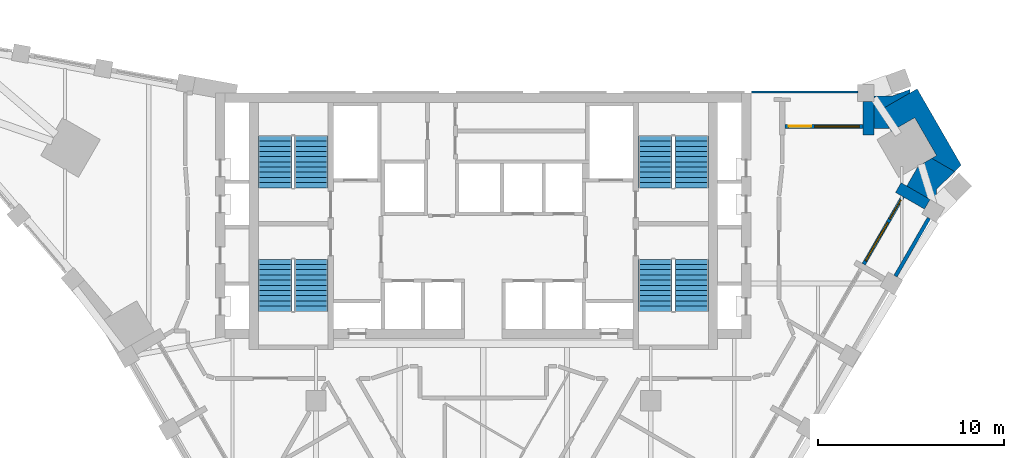
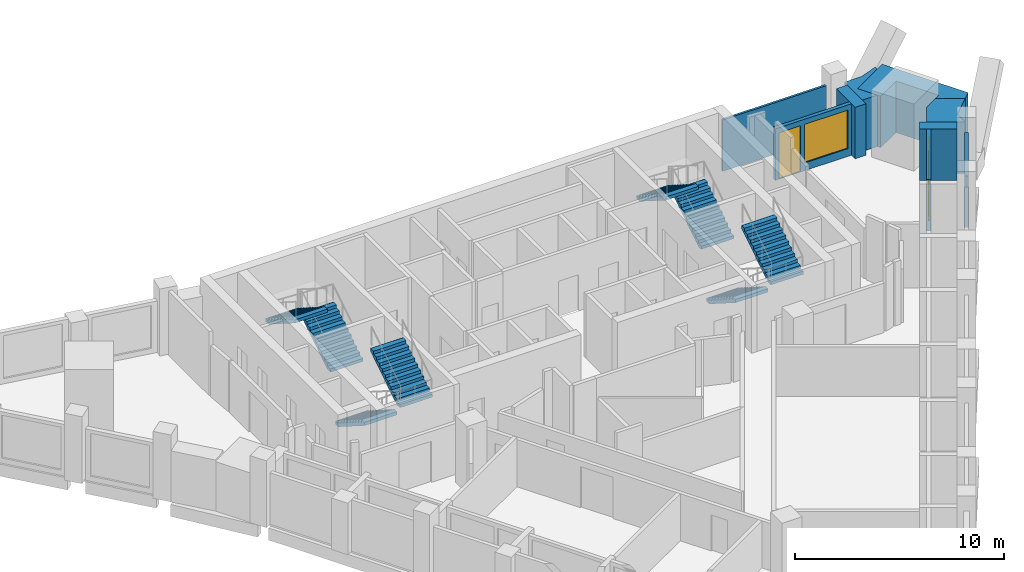
# One storey, part 8 of 9: 9 walls, 8 stair flights, 2 doors, 2 windows, 4 openings, 4 elements without a shape of their own.
"""IFC4 building model written with IfcOpenShell, lengths in metres."""

from ifc_helpers import new_model, si_unit, direction, frame, frame_2d, origin, place, context, subcontext, project, spatial, polyline, rectangle, outline, extrude, faceted_brep, source, transform, mapped, material, layer, layer_set, type_object, element, fill, aggregate, save


model = new_model("IFC4")

# Units and contexts
model_context = context("Model", 3, precision=1e-05, world=origin(), true_north=direction((0.0, 1.0)))
body_context = subcontext(model_context, "Body", "Model", "MODEL_VIEW")
ifc_project = project(units=[si_unit("LENGTHUNIT", "METRE"), si_unit("AREAUNIT", "SQUARE_METRE"), si_unit("VOLUMEUNIT", "CUBIC_METRE"), si_unit("PLANEANGLEUNIT", "RADIAN"), si_unit("MASSUNIT", "GRAM", prefix="KILO")], contexts=[model_context])

# Site, building, storey
site_placement = place(None, origin())
site = spatial("IfcSite", under=ifc_project, at=site_placement, CompositionType="ELEMENT")
building_placement = place(site_placement, origin())
building = spatial("IfcBuilding", under=site, at=building_placement, Name="Calabash Gate Tower", CompositionType="ELEMENT")
storey_placement = place(building_placement, frame((0.0, 0.0, 231.5)))
storey = spatial("IfcBuildingStorey", under=building, at=storey_placement, Name="L55", CompositionType="ELEMENT", Elevation=231.5)

# Walls
ifc_material_1 = material(Name="Terracotta brick masonry, exposed face", Category="masonry")
ifc_layer_1 = layer(ifc_material_1, 2.35009765625)
ifc_layer_set_1 = layer_set([ifc_layer_1], Name="Brick corner mass wall 2350")
wall_type_1 = type_object("IfcWallType", Name="Brick corner mass wall 2350", PredefinedType="SOLIDWALL", material=ifc_layer_set_1)
wall_1_placement = place(storey_placement, origin())
element("IfcWall", 1, at=wall_1_placement, inside=storey, type_object=wall_type_1, Name="Brick corner pier S16 3a", PredefinedType="SOLIDWALL", context=body_context, shape_type="SweptSolid", body=[
    extrude(outline(polyline([(23.392333984375, 15.1171875), (22.775634765625, 14.049072265625), (24.364013671875, 13.1318359375), (24.364013671875, 13.861083984375), (25.353271484375, 14.825439453125), (24.119873046875, 15.537353515625), (23.392333984375, 15.1171875)])), origin(), (0.0, 0.0, 1.0), 3.0),
])
wall_2_placement = place(storey_placement, origin())
element("IfcWall", 2, at=wall_2_placement, inside=storey, type_object=wall_type_1, Name="Brick corner pier S16 3b", PredefinedType="SOLIDWALL", context=body_context, shape_type="SweptSolid", body=[
    extrude(outline(polyline([(23.2041015625, 17.72216796875), (24.379150390625, 15.68701171875), (24.119873046875, 15.537353515625), (25.353271484375, 14.825439453125), (25.706298828125, 15.169677734375), (23.33447265625, 19.277587890625), (21.29931640625, 18.1025390625), (21.9404296875, 16.992431640625), (23.2041015625, 17.72216796875)])), origin(), (0.0, 0.0, 1.0), 3.0),
])
wall_3_placement = place(storey_placement, origin())
element("IfcWall", 3, at=wall_3_placement, inside=storey, type_object=wall_type_1, Name="Brick corner pier S16 3c", PredefinedType="SOLIDWALL", context=body_context, shape_type="SweptSolid", body=[
    extrude(outline(polyline([(21.027099609375, 18.884033203125), (21.02685546875, 17.152587890625), (21.847900390625, 17.152587890625), (21.29931640625, 18.1025390625), (22.94482421875, 19.052490234375), (22.94482421875, 19.239501953125), (21.97802734375, 18.884033203125), (21.027099609375, 18.884033203125)])), origin(), (0.0, 0.0, 1.0), 3.0),
])
ifc_material_2 = material(Name="Terracotta brick masonry, exposed face", Category="masonry")
ifc_layer_2 = layer(ifc_material_2, 0.300048828125)
ifc_layer_set_2 = layer_set([ifc_layer_2], Name="Brick loggia cheek wall 300")
wall_type_2 = type_object("IfcWallType", Name="Brick loggia cheek wall 300", PredefinedType="SOLIDWALL", material=ifc_layer_set_2)
wall_4_placement = place(storey_placement, frame((23.88134765625, 13.064208984375, 0.0), z_axis=(0.0, 0.0, 1.0), x_axis=(-0.866047807691, 0.499961193289, 0.0)))
element("IfcWall", 4, at=wall_4_placement, inside=storey, type_object=wall_type_2, Name="Loggia cheek S16 SE2.9", PredefinedType="SOLIDWALL", context=body_context, shape_type="SweptSolid", body=[
    extrude(rectangle(XDim=1.800048828125, YDim=0.60009765625, at=frame_2d((0.89990234375, 0.0))), origin(), (0.0, 0.0, 1.0), 3.0),
])
wall_5_placement = place(storey_placement, origin())
element("IfcWall", 5, at=wall_5_placement, inside=storey, type_object=wall_type_2, Name="Loggia cheek S16 N4.0", PredefinedType="SOLIDWALL", context=body_context, shape_type="SweptSolid", body=[
    extrude(outline(polyline([(21.02685546875, 16.802490234375), (21.02685546875, 18.6025390625), (20.427001953125, 18.6025390625), (20.427001953125, 16.802490234375), (21.02685546875, 16.802490234375)])), origin(), (0.0, 0.0, 1.0), 3.0),
])
ifc_material_3 = material(Name="Terracotta brick masonry, perforated", Category="masonry")
ifc_layer_3 = layer(ifc_material_3, 0.1201171875)
ifc_layer_set_3 = layer_set([ifc_layer_3], Name="Terracotta jaali cladding B 120")
wall_type_3 = type_object("IfcWallType", Name="Terracotta jaali cladding B 120", PredefinedType="SOLIDWALL", material=ifc_layer_set_3)
wall_6_placement = place(storey_placement, frame((14.4248046875, 19.112548828125, 0.0), z_axis=(0.0, 0.0, 1.0), x_axis=(1.0, 0.0, 0.0)))
element("IfcWall", 6, at=wall_6_placement, inside=storey, type_object=wall_type_3, Name="Jaali cladding S16 N4.c1", PredefinedType="SOLIDWALL", context=body_context, shape_type="SweptSolid", body=[
    extrude(rectangle(XDim=5.739990234375, YDim=0.1201171875, at=frame_2d((2.8701171875, 0.0))), origin(), (0.0, 0.0, 1.0), 3.0),
])
ifc_material_4 = material(Name="Terracotta brick masonry, perforated", Category="masonry")
ifc_layer_4 = layer(ifc_material_4, 0.199951171875)
ifc_layer_set_4 = layer_set([ifc_layer_4], Name="Terracotta jaali screen B")
wall_type_4 = type_object("IfcWallType", Name="Terracotta jaali screen B", PredefinedType="SOLIDWALL", material=ifc_layer_set_4)
wall_7_placement = place(storey_placement, frame((22.1708984375, 9.201904296875, 0.0), z_axis=(0.0, 0.0, 1.0), x_axis=(0.500012057535, 0.866018442252, 0.0)))
element("IfcWall", 7, at=wall_7_placement, inside=storey, type_object=wall_type_4, Name="SCREEN B S16 SE2.9", PredefinedType="SOLIDWALL", context=body_context, shape_type="SweptSolid", body=[
    extrude(rectangle(XDim=3.60009765625, YDim=0.199951171875, at=frame_2d((1.800048828125, 0.0))), origin(), (0.0, 0.0, 1.0), 3.0),
])

# Wall, openings, door, window
ifc_material_5 = material(Name="Aluminium framed window wall with insulated spandrel", Category="aluminium")
ifc_layer_5 = layer(ifc_material_5, 0.199951171875)
ifc_layer_set_5 = layer_set([ifc_layer_5], Name="Window wall 200")
wall_type_5 = type_object("IfcWallType", Name="Window wall 200", PredefinedType="ELEMENTEDWALL", material=ifc_layer_set_5)
wall_8_placement = place(storey_placement, frame((20.462158203125, 9.842041015625, 0.0), z_axis=(0.0, 0.0, 1.0), x_axis=(0.500027713859, 0.866009402589, 0.0)))
wall_8 = element("IfcWall", 8, at=wall_8_placement, inside=storey, type_object=wall_type_5, Name="Window wall S16 SE2.9", PredefinedType="ELEMENTEDWALL", context=body_context, shape_type="SweptSolid", body=[
    extrude(rectangle(XDim=4.199951171875, YDim=0.199951171875, at=frame_2d((2.10009765625, 0.0))), origin(), (0.0, 0.0, 1.0), 3.0),
])
opening_1_placement = place(wall_8_placement, frame((0.199951171875, 0.0, 0.449951171875)))
opening_1 = element("IfcOpeningElement", 9, at=opening_1_placement, cuts=wall_8, Name="Opening OW1", PredefinedType="OPENING", context=body_context, shape_type="SweptSolid", body=[
    extrude(rectangle(XDim=2.39990234375, YDim=2.25, at=frame_2d((1.199951171875, 1.125))), frame((0.0, 0.10986328125, 0.0), z_axis=(0.0, -1.0, 0.0), x_axis=(1.0, 0.0, 0.0)), (0.0, 0.0, 1.0), 0.219970703125),
])
opening_2_placement = place(wall_8_placement, frame((2.800048828125, 0.0, 0.0)))
opening_2 = element("IfcOpeningElement", 10, at=opening_2_placement, cuts=wall_8, Name="Opening O8-025", PredefinedType="OPENING", context=body_context, shape_type="SweptSolid", body=[
    extrude(rectangle(XDim=1.199951171875, YDim=2.699951171875, at=frame_2d((0.60009765625, 1.35009765625))), frame((0.0, 0.10986328125, 0.0), z_axis=(0.0, -1.0, 0.0), x_axis=(1.0, 0.0, 0.0)), (0.0, 0.0, 1.0), 0.219970703125),
])
ifc_material_6 = material(Name="Anodised aluminium frame, bronze finish, impact-rated laminated clear glazing", Category="aluminium")
door_type = type_object("IfcDoorType", Name="Loggia door DO1 1200x2700", OperationType="SLIDING_TO_LEFT", PredefinedType="DOOR", material=ifc_material_6)
door_1_placement = place(opening_2_placement, origin())
door_1 = element("IfcDoor", 11, at=door_1_placement, inside=storey, type_object=door_type, Name="Loggia door S16 SE2.9", OperationType="SINGLE_SWING_LEFT", OverallHeight=2.699951171875, OverallWidth=1.199951171875, PredefinedType="DOOR", context=body_context, shape_type="SweptSolid", body=[
    extrude(rectangle(XDim=1.199951171875, YDim=2.699951171875, at=frame_2d((0.60009765625, 1.35009765625))), frame((0.0, 0.02490234375, 0.0), z_axis=(0.0, -1.0, 0.0), x_axis=(1.0, 0.0, 0.0)), (0.0, 0.0, 1.0), 0.050048828125),
])
fill(opening_2, door_1)
ifc_material_7 = material(Name="Anodised aluminium frame, bronze finish, impact-rated laminated clear glazing", Category="aluminium")
window_type = type_object("IfcWindowType", Name="Window OW1 2400x2250", PartitioningType="DOUBLE_PANEL_VERTICAL", PredefinedType="WINDOW", material=ifc_material_7)
window_1_placement = place(opening_1_placement, origin())
window_1 = element("IfcWindow", 12, at=window_1_placement, inside=storey, type_object=window_type, Name="Window OW1 S16 SE2.9", OverallHeight=2.25, OverallWidth=2.39990234375, PartitioningType="SINGLE_PANEL", PredefinedType="WINDOW", context=body_context, shape_type="SweptSolid", body=[
    extrude(rectangle(XDim=2.39990234375, YDim=2.25, at=frame_2d((1.199951171875, 1.125))), frame((0.0, 0.030029296875, 0.0), z_axis=(0.0, -1.0, 0.0), x_axis=(1.0, 0.0, 0.0)), (0.0, 0.0, 1.0), 0.06005859375),
])
fill(opening_1, window_1)

wall_9_placement = place(storey_placement, frame((20.427001953125, 17.25244140625, 0.0), z_axis=(0.0, 0.0, 1.0), x_axis=(-1.0, 0.0, 0.0)))
wall_9 = element("IfcWall", 13, at=wall_9_placement, inside=storey, type_object=wall_type_5, Name="Window wall S16 N4.1", PredefinedType="ELEMENTEDWALL", context=body_context, shape_type="SweptSolid", body=[
    extrude(rectangle(XDim=4.199951171875, YDim=0.199951171875, at=frame_2d((2.10009765625, 0.0))), origin(), (0.0, 0.0, 1.0), 3.0),
])
opening_3_placement = place(wall_9_placement, frame((0.199951171875, 0.0, 0.449951171875)))
opening_3 = element("IfcOpeningElement", 14, at=opening_3_placement, cuts=wall_9, Name="Opening OW1", PredefinedType="OPENING", context=body_context, shape_type="SweptSolid", body=[
    extrude(rectangle(XDim=2.39990234375, YDim=2.25, at=frame_2d((1.199951171875, 1.125))), frame((0.0, 0.10986328125, 0.0), z_axis=(0.0, -1.0, 0.0), x_axis=(1.0, 0.0, 0.0)), (0.0, 0.0, 1.0), 0.219970703125),
])
opening_4_placement = place(wall_9_placement, frame((2.800048828125, 0.0, 0.0)))
opening_4 = element("IfcOpeningElement", 15, at=opening_4_placement, cuts=wall_9, Name="Opening O8-021", PredefinedType="OPENING", context=body_context, shape_type="SweptSolid", body=[
    extrude(rectangle(XDim=1.199951171875, YDim=2.699951171875, at=frame_2d((0.60009765625, 1.35009765625))), frame((0.0, 0.10986328125, 0.0), z_axis=(0.0, -1.0, 0.0), x_axis=(1.0, 0.0, 0.0)), (0.0, 0.0, 1.0), 0.219970703125),
])
door_2_placement = place(opening_4_placement, origin())
door_2 = element("IfcDoor", 16, at=door_2_placement, inside=storey, type_object=door_type, Name="Loggia door S16 N4.1", OperationType="SINGLE_SWING_LEFT", OverallHeight=2.699951171875, OverallWidth=1.199951171875, PredefinedType="DOOR", context=body_context, shape_type="SweptSolid", body=[
    extrude(rectangle(XDim=1.199951171875, YDim=2.699951171875, at=frame_2d((0.60009765625, 1.35009765625))), frame((0.0, 0.02490234375, 0.0), z_axis=(0.0, -1.0, 0.0), x_axis=(1.0, 0.0, 0.0)), (0.0, 0.0, 1.0), 0.050048828125),
])
fill(opening_4, door_2)
window_2_placement = place(opening_3_placement, origin())
window_2 = element("IfcWindow", 17, at=window_2_placement, inside=storey, type_object=window_type, Name="Window OW1 S16 N4.1", OverallHeight=2.25, OverallWidth=2.39990234375, PartitioningType="SINGLE_PANEL", PredefinedType="WINDOW", context=body_context, shape_type="SweptSolid", body=[
    extrude(rectangle(XDim=2.39990234375, YDim=2.25, at=frame_2d((1.199951171875, 1.125))), frame((0.0, 0.030029296875, 0.0), z_axis=(0.0, -1.0, 0.0), x_axis=(1.0, 0.0, 0.0)), (0.0, 0.0, 1.0), 0.06005859375),
])
fill(opening_3, window_2)

# Stair, stair flights
ifc_material_8 = material(Name="Concrete C40/50", Category="concrete")
stair_type = type_object("IfcStairType", Name="Exit stair 22 risers of 177.3 mm", PredefinedType="HALF_TURN_STAIR", material=ifc_material_8)
stair_1_placement = place(storey_placement, origin())
stair_1 = element("IfcStair", 18, at=stair_1_placement, inside=storey, type_object=stair_type, Name="L55 Exit stair ST1", PredefinedType="HALF_TURN_STAIR")
ifc_material_9 = material(Name="Concrete C40/50", Category="concrete")
stair_flight_type = type_object("IfcStairFlightType", Name="Exit stair flight SFL", PredefinedType="STRAIGHT", material=ifc_material_9)
shared_shape = source(origin(), body_context, "Body", "Brep", [
    faceted_brep([(-0.0009765625, -0.89990234375, 0.0), (0.279541015625, -0.89990234375, 0.0), (2.791015625, -0.89990234375, 1.59521484375), (-0.0009765625, 0.89990234375, 0.0), (2.791015625, 0.89990234375, 1.59521484375), (0.279541015625, 0.89990234375, 0.0), (2.791015625, -0.89990234375, 1.78466796875), (2.7900390625, -0.89990234375, 1.78466796875), (2.7900390625, 0.89990234375, 1.78466796875), (2.791015625, 0.89990234375, 1.78466796875), (2.7900390625, -0.89990234375, 1.772705078125), (2.7900390625, 0.89990234375, 1.772705078125), (2.510986328125, -0.89990234375, 1.772705078125), (2.510986328125, 0.89990234375, 1.772705078125), (2.510986328125, -0.89990234375, 1.595458984375), (2.510986328125, 0.89990234375, 1.595458984375), (2.23193359375, -0.89990234375, 1.595458984375), (2.23193359375, 0.89990234375, 1.595458984375), (2.23193359375, -0.89990234375, 1.418212890625), (2.23193359375, 0.89990234375, 1.418212890625), (1.952880859375, -0.89990234375, 1.418212890625), (1.952880859375, -0.89990234375, 1.240966796875), (1.952880859375, 0.89990234375, 1.240966796875), (1.952880859375, 0.89990234375, 1.418212890625), (1.674072265625, -0.89990234375, 1.240966796875), (1.674072265625, -0.89990234375, 1.063720703125), (1.674072265625, 0.89990234375, 1.063720703125), (1.674072265625, 0.89990234375, 1.240966796875), (1.39501953125, -0.89990234375, 1.063720703125), (1.39501953125, -0.89990234375, 0.886474609375), (1.39501953125, 0.89990234375, 0.886474609375), (1.39501953125, 0.89990234375, 1.063720703125), (1.115966796875, -0.89990234375, 0.886474609375), (1.115966796875, -0.89990234375, 0.708984375), (1.115966796875, 0.89990234375, 0.708984375), (1.115966796875, 0.89990234375, 0.886474609375), (0.8369140625, -0.89990234375, 0.708984375), (0.8369140625, -0.89990234375, 0.53173828125), (0.8369140625, 0.89990234375, 0.53173828125), (0.8369140625, 0.89990234375, 0.708984375), (0.55810546875, -0.89990234375, 0.53173828125), (0.55810546875, -0.89990234375, 0.3544921875), (0.55810546875, 0.89990234375, 0.3544921875), (0.55810546875, 0.89990234375, 0.53173828125), (0.279052734375, -0.89990234375, 0.3544921875), (0.279052734375, -0.89990234375, 0.17724609375), (0.279052734375, 0.89990234375, 0.17724609375), (0.279052734375, 0.89990234375, 0.3544921875), (-0.0009765625, -0.89990234375, 0.17724609375), (-0.0009765625, 0.89990234375, 0.17724609375), (0.279541015625, -0.360107421875, 0.0), (2.791015625, -0.360107421875, 1.59521484375), (0.279541015625, 0.0, 0.0), (2.791015625, 0.0, 1.59521484375), (0.279541015625, 0.360107421875, 0.0), (2.791015625, 0.360107421875, 1.59521484375), (2.791015625, -0.360107421875, 1.78466796875), (2.791015625, 0.0, 1.78466796875), (2.791015625, 0.360107421875, 1.78466796875), (2.7900390625, -0.360107421875, 1.78466796875), (2.7900390625, 0.0, 1.78466796875), (2.7900390625, 0.360107421875, 1.78466796875), (2.7900390625, -0.360107421875, 1.772705078125), (2.7900390625, 0.0, 1.772705078125), (2.7900390625, 0.360107421875, 1.772705078125), (2.510986328125, -0.360107421875, 1.772705078125), (2.510986328125, 0.0, 1.772705078125), (2.510986328125, 0.360107421875, 1.772705078125), (2.510986328125, -0.360107421875, 1.595458984375), (2.510986328125, 0.0, 1.595458984375), (2.510986328125, 0.360107421875, 1.595458984375), (2.23193359375, -0.360107421875, 1.595458984375), (2.23193359375, 0.0, 1.595458984375), (2.23193359375, 0.360107421875, 1.595458984375), (2.23193359375, -0.360107421875, 1.418212890625), (2.23193359375, 0.0, 1.418212890625), (2.23193359375, 0.360107421875, 1.418212890625), (1.952880859375, -0.360107421875, 1.418212890625), (1.952880859375, 0.0, 1.418212890625), (1.952880859375, 0.360107421875, 1.418212890625), (1.952880859375, -0.360107421875, 1.240966796875), (1.952880859375, 0.0, 1.240966796875), (1.952880859375, 0.360107421875, 1.240966796875), (1.674072265625, -0.360107421875, 1.240966796875), (1.674072265625, 0.0, 1.240966796875), (1.674072265625, 0.360107421875, 1.240966796875), (1.674072265625, -0.360107421875, 1.063720703125), (1.674072265625, 0.0, 1.063720703125), (1.674072265625, 0.360107421875, 1.063720703125), (1.39501953125, -0.360107421875, 1.063720703125), (1.39501953125, 0.0, 1.063720703125), (1.39501953125, 0.360107421875, 1.063720703125), (1.39501953125, -0.360107421875, 0.886474609375), (1.39501953125, 0.0, 0.886474609375), (1.39501953125, 0.360107421875, 0.886474609375), (1.115966796875, -0.360107421875, 0.886474609375), (1.115966796875, 0.0, 0.886474609375), (1.115966796875, 0.360107421875, 0.886474609375), (1.115966796875, -0.360107421875, 0.708984375), (1.115966796875, 0.0, 0.708984375), (1.115966796875, 0.360107421875, 0.708984375), (0.8369140625, -0.360107421875, 0.708984375), (0.8369140625, 0.0, 0.708984375), (0.8369140625, 0.360107421875, 0.708984375), (0.8369140625, -0.360107421875, 0.53173828125), (0.8369140625, 0.0, 0.53173828125), (0.8369140625, 0.360107421875, 0.53173828125), (0.55810546875, -0.360107421875, 0.53173828125), (0.55810546875, 0.0, 0.53173828125), (0.55810546875, 0.360107421875, 0.53173828125), (0.55810546875, -0.360107421875, 0.3544921875), (0.55810546875, 0.0, 0.3544921875), (0.55810546875, 0.360107421875, 0.3544921875), (0.279052734375, -0.360107421875, 0.3544921875), (0.279052734375, 0.0, 0.3544921875), (0.279052734375, 0.360107421875, 0.3544921875), (0.279052734375, -0.360107421875, 0.17724609375), (0.279052734375, 0.0, 0.17724609375), (0.279052734375, 0.360107421875, 0.17724609375), (-0.0009765625, -0.360107421875, 0.17724609375), (-0.0009765625, 0.0, 0.17724609375), (-0.0009765625, 0.360107421875, 0.17724609375), (-0.0009765625, -0.360107421875, 0.0), (-0.0009765625, 0.0, 0.0), (-0.0009765625, 0.360107421875, 0.0)], [[[0, 1, 2]], [[3, 4, 5]], [[2, 6, 7]], [[4, 8, 9]], [[2, 7, 10]], [[4, 11, 8]], [[2, 10, 12]], [[4, 13, 11]], [[2, 12, 14]], [[4, 15, 13]], [[2, 14, 16]], [[4, 17, 15]], [[2, 16, 18]], [[4, 19, 17]], [[18, 20, 21]], [[19, 22, 23]], [[2, 18, 21]], [[4, 22, 19]], [[21, 24, 25]], [[22, 26, 27]], [[2, 21, 25]], [[4, 26, 22]], [[25, 28, 29]], [[26, 30, 31]], [[2, 25, 29]], [[4, 30, 26]], [[29, 32, 33]], [[30, 34, 35]], [[2, 29, 33]], [[4, 34, 30]], [[33, 36, 37]], [[34, 38, 39]], [[2, 33, 37]], [[4, 38, 34]], [[37, 40, 41]], [[38, 42, 43]], [[2, 37, 41]], [[4, 42, 38]], [[41, 44, 45]], [[42, 46, 47]], [[2, 41, 45]], [[4, 46, 42]], [[0, 2, 45]], [[3, 46, 4]], [[45, 48, 0]], [[46, 3, 49]], [[1, 50, 2]], [[50, 51, 2]], [[50, 52, 51]], [[52, 53, 51]], [[52, 54, 55]], [[52, 55, 53]], [[54, 5, 4]], [[54, 4, 55]], [[2, 51, 6]], [[51, 56, 6]], [[51, 53, 56]], [[53, 57, 56]], [[53, 55, 58]], [[53, 58, 57]], [[55, 4, 9]], [[55, 9, 58]], [[6, 56, 7]], [[56, 59, 7]], [[56, 57, 59]], [[57, 60, 59]], [[57, 58, 61]], [[57, 61, 60]], [[58, 9, 8]], [[58, 8, 61]], [[7, 59, 10]], [[59, 62, 10]], [[59, 60, 62]], [[60, 63, 62]], [[60, 61, 64]], [[60, 64, 63]], [[61, 8, 11]], [[61, 11, 64]], [[10, 62, 12]], [[62, 65, 12]], [[62, 63, 65]], [[63, 66, 65]], [[63, 64, 67]], [[63, 67, 66]], [[64, 11, 13]], [[64, 13, 67]], [[12, 65, 14]], [[65, 68, 14]], [[65, 66, 68]], [[66, 69, 68]], [[66, 67, 70]], [[66, 70, 69]], [[67, 13, 15]], [[67, 15, 70]], [[14, 68, 16]], [[68, 71, 16]], [[68, 69, 71]], [[69, 72, 71]], [[69, 70, 73]], [[69, 73, 72]], [[70, 15, 17]], [[70, 17, 73]], [[16, 71, 18]], [[71, 74, 18]], [[71, 72, 74]], [[72, 75, 74]], [[72, 73, 76]], [[72, 76, 75]], [[73, 17, 19]], [[73, 19, 76]], [[18, 74, 20]], [[74, 77, 20]], [[74, 75, 77]], [[75, 78, 77]], [[75, 76, 79]], [[75, 79, 78]], [[76, 19, 23]], [[76, 23, 79]], [[20, 77, 21]], [[77, 80, 21]], [[77, 78, 80]], [[78, 81, 80]], [[78, 79, 82]], [[78, 82, 81]], [[79, 23, 22]], [[79, 22, 82]], [[21, 80, 24]], [[80, 83, 24]], [[80, 81, 83]], [[81, 84, 83]], [[81, 82, 85]], [[81, 85, 84]], [[82, 22, 27]], [[82, 27, 85]], [[24, 83, 25]], [[83, 86, 25]], [[83, 84, 86]], [[84, 87, 86]], [[84, 85, 88]], [[84, 88, 87]], [[85, 27, 26]], [[85, 26, 88]], [[25, 86, 28]], [[86, 89, 28]], [[86, 87, 89]], [[87, 90, 89]], [[87, 88, 91]], [[87, 91, 90]], [[88, 26, 31]], [[88, 31, 91]], [[28, 89, 29]], [[89, 92, 29]], [[89, 90, 92]], [[90, 93, 92]], [[90, 91, 94]], [[90, 94, 93]], [[91, 31, 30]], [[91, 30, 94]], [[29, 92, 32]], [[92, 95, 32]], [[92, 93, 95]], [[93, 96, 95]], [[93, 94, 97]], [[93, 97, 96]], [[94, 30, 35]], [[94, 35, 97]], [[32, 95, 33]], [[95, 98, 33]], [[95, 96, 98]], [[96, 99, 98]], [[96, 97, 100]], [[96, 100, 99]], [[97, 35, 34]], [[97, 34, 100]], [[33, 98, 36]], [[98, 101, 36]], [[98, 99, 101]], [[99, 102, 101]], [[99, 100, 103]], [[99, 103, 102]], [[100, 34, 39]], [[100, 39, 103]], [[36, 101, 37]], [[101, 104, 37]], [[101, 102, 104]], [[102, 105, 104]], [[102, 103, 106]], [[102, 106, 105]], [[103, 39, 38]], [[103, 38, 106]], [[37, 104, 40]], [[104, 107, 40]], [[104, 105, 107]], [[105, 108, 107]], [[105, 106, 109]], [[105, 109, 108]], [[106, 38, 43]], [[106, 43, 109]], [[40, 107, 41]], [[107, 110, 41]], [[107, 108, 110]], [[108, 111, 110]], [[108, 109, 112]], [[108, 112, 111]], [[109, 43, 42]], [[109, 42, 112]], [[41, 110, 44]], [[110, 113, 44]], [[110, 111, 113]], [[111, 114, 113]], [[111, 112, 115]], [[111, 115, 114]], [[112, 42, 47]], [[112, 47, 115]], [[44, 113, 45]], [[113, 116, 45]], [[113, 114, 116]], [[114, 117, 116]], [[114, 115, 118]], [[114, 118, 117]], [[115, 47, 46]], [[115, 46, 118]], [[45, 116, 48]], [[116, 119, 48]], [[116, 117, 119]], [[117, 120, 119]], [[117, 118, 121]], [[117, 121, 120]], [[118, 46, 49]], [[118, 49, 121]], [[48, 119, 0]], [[119, 122, 0]], [[119, 120, 122]], [[120, 123, 122]], [[120, 121, 124]], [[120, 124, 123]], [[121, 49, 3]], [[121, 3, 124]], [[0, 122, 1]], [[122, 50, 1]], [[122, 123, 50]], [[123, 52, 50]], [[123, 124, 54]], [[123, 54, 52]], [[124, 3, 5]], [[124, 5, 54]]]),
])
stair_flight_1_placement = place(storey_placement, frame((-9.25, 13.95263671875, 0.0), z_axis=(0.0, 0.0, 1.0), x_axis=(0.0, 1.0, 0.0)))
stair_flight_1 = element("IfcStairFlight", 19, at=stair_flight_1_placement, type_object=stair_flight_type, Name="ST1 flight 1", NumberOfRisers=11, NumberOfTreads=10, PredefinedType="STRAIGHT", RiserHeight=0.177272727, TreadLength=0.279, context=body_context, shape_type="MappedRepresentation", body=[
    mapped(shared_shape, transform((0.0, 0.0, 0.0), scale=1.0)),
])
stair_flight_2_placement = place(storey_placement, frame((-11.199951171875, 16.74267578125, 1.949951171875), z_axis=(0.0, 0.0, 1.0), x_axis=(0.0, -1.0, 0.0)))
stair_flight_2 = element("IfcStairFlight", 20, at=stair_flight_2_placement, type_object=stair_flight_type, Name="ST1 flight 2", NumberOfRisers=11, NumberOfTreads=10, PredefinedType="STRAIGHT", RiserHeight=0.177272727, TreadLength=0.279, context=body_context, shape_type="MappedRepresentation", body=[
    mapped(shared_shape, transform((0.0, 0.0, 0.0), scale=1.0)),
])
aggregate(stair_1, [stair_flight_1, stair_flight_2])

stair_2_placement = place(storey_placement, origin())
stair_2 = element("IfcStair", 21, at=stair_2_placement, inside=storey, type_object=stair_type, Name="L55 Exit stair ST2", PredefinedType="HALF_TURN_STAIR")
stair_flight_3_placement = place(storey_placement, frame((-11.199951171875, 10.1025390625, 0.0), z_axis=(0.0, 0.0, 1.0), x_axis=(0.0, -1.0, 0.0)))
stair_flight_3 = element("IfcStairFlight", 22, at=stair_flight_3_placement, type_object=stair_flight_type, Name="ST2 flight 1", NumberOfRisers=11, NumberOfTreads=10, PredefinedType="STRAIGHT", RiserHeight=0.177272727, TreadLength=0.279, context=body_context, shape_type="MappedRepresentation", body=[
    mapped(shared_shape, transform((0.0, 0.0, 0.0), scale=1.0)),
])
stair_flight_4_placement = place(storey_placement, frame((-9.25, 7.3125, 1.949951171875), z_axis=(0.0, 0.0, 1.0), x_axis=(0.0, 1.0, 0.0)))
stair_flight_4 = element("IfcStairFlight", 23, at=stair_flight_4_placement, type_object=stair_flight_type, Name="ST2 flight 2", NumberOfRisers=11, NumberOfTreads=10, PredefinedType="STRAIGHT", RiserHeight=0.177272727, TreadLength=0.279, context=body_context, shape_type="MappedRepresentation", body=[
    mapped(shared_shape, transform((0.0, 0.0, 0.0), scale=1.0)),
])
aggregate(stair_2, [stair_flight_3, stair_flight_4])

stair_3_placement = place(storey_placement, origin())
stair_3 = element("IfcStair", 24, at=stair_3_placement, inside=storey, type_object=stair_type, Name="L55 Exit stair ST3", PredefinedType="HALF_TURN_STAIR")
stair_flight_5_placement = place(storey_placement, frame((11.199951171875, 13.95263671875, 0.0), z_axis=(0.0, 0.0, 1.0), x_axis=(0.0, 1.0, 0.0)))
stair_flight_5 = element("IfcStairFlight", 25, at=stair_flight_5_placement, type_object=stair_flight_type, Name="ST3 flight 1", NumberOfRisers=11, NumberOfTreads=10, PredefinedType="STRAIGHT", RiserHeight=0.177272727, TreadLength=0.279, context=body_context, shape_type="MappedRepresentation", body=[
    mapped(shared_shape, transform((0.0, 0.0, 0.0), scale=1.0)),
])
stair_flight_6_placement = place(storey_placement, frame((9.25, 16.74267578125, 1.949951171875), z_axis=(0.0, 0.0, 1.0), x_axis=(0.0, -1.0, 0.0)))
stair_flight_6 = element("IfcStairFlight", 26, at=stair_flight_6_placement, type_object=stair_flight_type, Name="ST3 flight 2", NumberOfRisers=11, NumberOfTreads=10, PredefinedType="STRAIGHT", RiserHeight=0.177272727, TreadLength=0.279, context=body_context, shape_type="MappedRepresentation", body=[
    mapped(shared_shape, transform((0.0, 0.0, 0.0), scale=1.0)),
])
aggregate(stair_3, [stair_flight_5, stair_flight_6])

stair_4_placement = place(storey_placement, origin())
stair_4 = element("IfcStair", 27, at=stair_4_placement, inside=storey, type_object=stair_type, Name="L55 Exit stair ST4", PredefinedType="HALF_TURN_STAIR")
stair_flight_7_placement = place(storey_placement, frame((9.25, 10.1025390625, 0.0), z_axis=(0.0, 0.0, 1.0), x_axis=(0.0, -1.0, 0.0)))
stair_flight_7 = element("IfcStairFlight", 28, at=stair_flight_7_placement, type_object=stair_flight_type, Name="ST4 flight 1", NumberOfRisers=11, NumberOfTreads=10, PredefinedType="STRAIGHT", RiserHeight=0.177272727, TreadLength=0.279, context=body_context, shape_type="MappedRepresentation", body=[
    mapped(shared_shape, transform((0.0, 0.0, 0.0), scale=1.0)),
])
stair_flight_8_placement = place(storey_placement, frame((11.199951171875, 7.3125, 1.949951171875), z_axis=(0.0, 0.0, 1.0), x_axis=(0.0, 1.0, 0.0)))
stair_flight_8 = element("IfcStairFlight", 29, at=stair_flight_8_placement, type_object=stair_flight_type, Name="ST4 flight 2", NumberOfRisers=11, NumberOfTreads=10, PredefinedType="STRAIGHT", RiserHeight=0.177272727, TreadLength=0.279, context=body_context, shape_type="MappedRepresentation", body=[
    mapped(shared_shape, transform((0.0, 0.0, 0.0), scale=1.0)),
])
aggregate(stair_4, [stair_flight_7, stair_flight_8])

save(model, "model.ifc")
